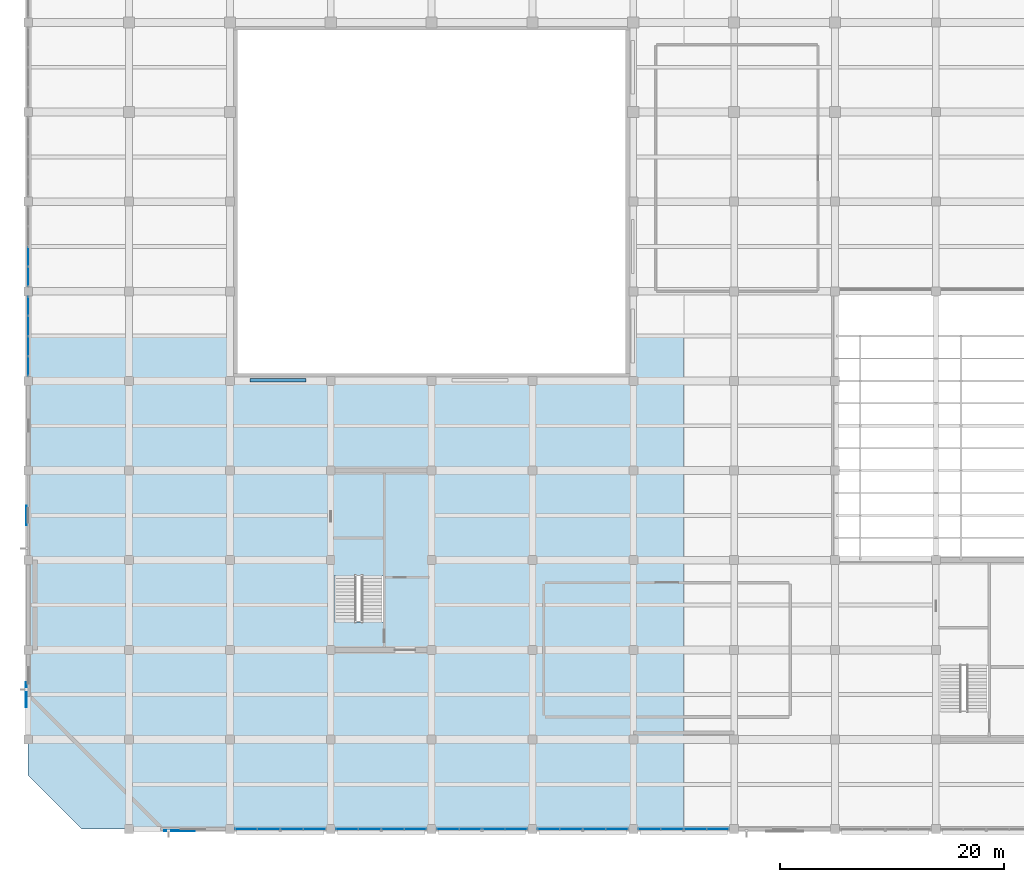
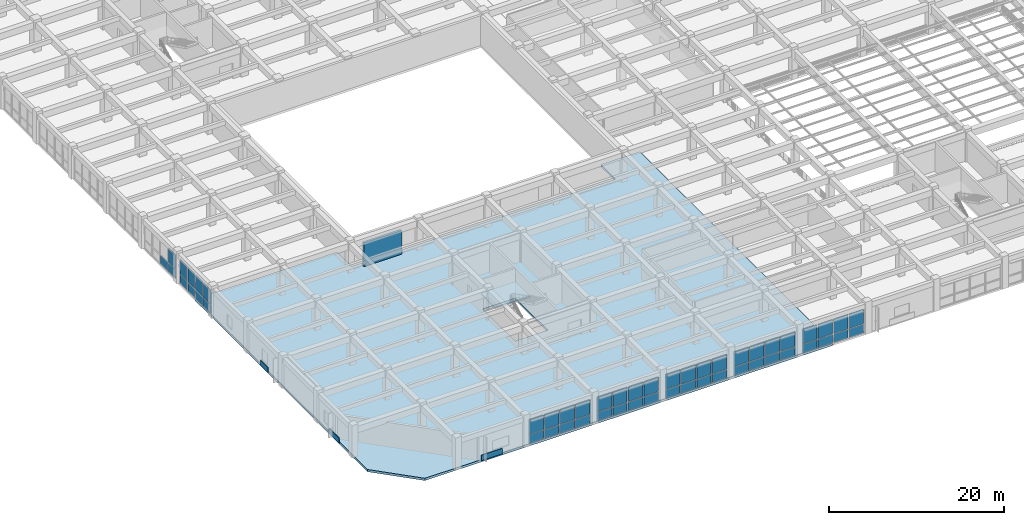
# One storey, part 20 of 50: 55 plates, 2 slabs, 8 elements without a shape of their own.
"""IFC4 building model written with IfcOpenShell, lengths in metres."""

from ifc_helpers import new_model, si_unit, direction, frame, frame_2d, origin, place, context, subcontext, project, spatial, polyline, rectangle, outline, extrude, material, layer, layer_set, type_object, element, aggregate, save


model = new_model("IFC4")

# Units and contexts
model_context = context("Model", 3, precision=1e-05, world=origin(), true_north=direction((0.0, 1.0)))
body_context = subcontext(model_context, "Body", "Model", "MODEL_VIEW")
ifc_project = project(units=[si_unit("LENGTHUNIT", "METRE"), si_unit("AREAUNIT", "SQUARE_METRE"), si_unit("VOLUMEUNIT", "CUBIC_METRE"), si_unit("PLANEANGLEUNIT", "RADIAN"), si_unit("MASSUNIT", "GRAM", prefix="KILO")], contexts=[model_context])

# Site, building, storey
site_placement = place(None, origin())
site = spatial("IfcSite", under=ifc_project, at=site_placement, CompositionType="ELEMENT")
building_placement = place(site_placement, origin())
building = spatial("IfcBuilding", under=site, at=building_placement, Name="Zaverband Oceanarium and Marine Research Institute", CompositionType="ELEMENT")
storey_placement = place(building_placement, frame((0.0, 0.0, 9.0)))
storey = spatial("IfcBuildingStorey", under=building, at=storey_placement, Name="L02", CompositionType="ELEMENT", Elevation=9.0)

# Plate
ifc_material_1 = material(Name="Monolithic cast polymethyl methacrylate (PMMA) viewing acrylic")
ifc_layer_1 = layer(ifc_material_1, 0.300048828125, Name="Monolithic cast polymethyl methacrylate (PMMA) viewing acrylic")
ifc_layer_set_1 = layer_set([ifc_layer_1], Name="Monolithic cast polymethyl methacrylate (PMMA) viewing acrylic")
plate_type_1 = type_object("IfcPlateType", Name="AP-5000x3300x300", PredefinedType="SHEET", material=ifc_layer_set_1)
plate_1_placement = place(storey_placement, frame((19.800048828125, 40.050048828125, 0.0), z_axis=(0.0, 0.0, 1.0), x_axis=(1.0, 0.0, 0.0)))
element("IfcPlate", 1, at=plate_1_placement, inside=storey, type_object=plate_type_1, Name="Monolithic cast-acrylic viewport / tunnel panel AP-5000x3300x300", PredefinedType="SHEET", context=body_context, shape_type="SweptSolid", body=[
    extrude(rectangle(XDim=5.0, YDim=0.300048828125, at=frame_2d((2.5, 0.0))), origin(), (0.0, 0.0, 1.0), 3.300048828125),
])

# Curtain wall, plates
ifc_material_2 = material(Name="Thermally broken anodized aluminium and solar-control glass", Category="aluminium")
curtain_wall_type = type_object("IfcCurtainWallType", Name="CW-UNIT-1800", PredefinedType="NOTDEFINED", material=ifc_material_2)
curtain_wall_1_placement = place(storey_placement, origin())
curtain_wall_1 = element("IfcCurtainWall", 2, at=curtain_wall_1_placement, inside=storey, type_object=curtain_wall_type, Name="Unitised glazed curtain wall CW-052", PredefinedType="NOTDEFINED")
ifc_material_3 = material(Name="Low-E double-glazed solar-control glass", Category="glass")
ifc_layer_2 = layer(ifc_material_3, 0.033935546875, Name="Low-E double-glazed solar-control glass")
ifc_layer_set_2 = layer_set([ifc_layer_2], Name="Low-E double-glazed solar-control glass")
plate_type_2 = type_object("IfcPlateType", Name="CWP-1515x1197", PredefinedType="CURTAIN_PANEL", material=ifc_layer_set_2)
plate_2_placement = place(storey_placement, frame((0.0, 40.485107421875, 0.050048828125), z_axis=(0.0, 0.0, 1.0), x_axis=(0.0, 1.0, 0.0)))
plate_2 = element("IfcPlate", 3, at=plate_2_placement, type_object=plate_type_2, Name="Glazed curtain wall panel CWP-1515x1197", PredefinedType="CURTAIN_PANEL", context=body_context, shape_type="SweptSolid", body=[
    extrude(rectangle(XDim=1.637451171875, YDim=0.033935546875, at=frame_2d((0.81884765625, 0.0))), origin(), (0.0, 0.0, 1.0), 1.197021484375),
])
plate_3_placement = place(storey_placement, frame((0.0, 42.282470703125, 0.050048828125), z_axis=(0.0, 0.0, 1.0), x_axis=(0.0, 1.0, 0.0)))
plate_3 = element("IfcPlate", 4, at=plate_3_placement, type_object=plate_type_2, Name="Glazed curtain wall panel CWP-1515x1197", PredefinedType="CURTAIN_PANEL", context=body_context, shape_type="SweptSolid", body=[
    extrude(rectangle(XDim=1.637451171875, YDim=0.033935546875, at=frame_2d((0.81884765625, 0.0))), origin(), (0.0, 0.0, 1.0), 1.197021484375),
])
plate_4_placement = place(storey_placement, frame((0.0, 44.080078125, 0.050048828125), z_axis=(0.0, 0.0, 1.0), x_axis=(0.0, 1.0, 0.0)))
plate_4 = element("IfcPlate", 5, at=plate_4_placement, type_object=plate_type_2, Name="Glazed curtain wall panel CWP-1515x1197", PredefinedType="CURTAIN_PANEL", context=body_context, shape_type="SweptSolid", body=[
    extrude(rectangle(XDim=1.637451171875, YDim=0.033935546875, at=frame_2d((0.81884765625, 0.0))), origin(), (0.0, 0.0, 1.0), 1.197021484375),
])
plate_5_placement = place(storey_placement, frame((0.0, 45.87744140625, 0.050048828125), z_axis=(0.0, 0.0, 1.0), x_axis=(0.0, 1.0, 0.0)))
plate_5 = element("IfcPlate", 6, at=plate_5_placement, type_object=plate_type_2, Name="Glazed curtain wall panel CWP-1515x1197", PredefinedType="CURTAIN_PANEL", context=body_context, shape_type="SweptSolid", body=[
    extrude(rectangle(XDim=1.637451171875, YDim=0.033935546875, at=frame_2d((0.81884765625, 0.0))), origin(), (0.0, 0.0, 1.0), 1.197021484375),
])

curtain_wall_2_placement = place(storey_placement, origin())
curtain_wall_2 = element("IfcCurtainWall", 7, at=curtain_wall_2_placement, inside=storey, type_object=curtain_wall_type, Name="Unitised glazed curtain wall CW-053", PredefinedType="NOTDEFINED")
plate_6_placement = place(storey_placement, frame((0.0, 48.485107421875, 0.050048828125), z_axis=(0.0, 0.0, 1.0), x_axis=(0.0, 1.0, 0.0)))
plate_6 = element("IfcPlate", 8, at=plate_6_placement, type_object=plate_type_2, Name="Glazed curtain wall panel CWP-1515x1197", PredefinedType="CURTAIN_PANEL", context=body_context, shape_type="SweptSolid", body=[
    extrude(rectangle(XDim=1.637451171875, YDim=0.033935546875, at=frame_2d((0.81884765625, 0.0))), origin(), (0.0, 0.0, 1.0), 1.197021484375),
])
plate_7_placement = place(storey_placement, frame((0.0, 50.282470703125, 0.050048828125), z_axis=(0.0, 0.0, 1.0), x_axis=(0.0, 1.0, 0.0)))
plate_7 = element("IfcPlate", 9, at=plate_7_placement, type_object=plate_type_2, Name="Glazed curtain wall panel CWP-1515x1197", PredefinedType="CURTAIN_PANEL", context=body_context, shape_type="SweptSolid", body=[
    extrude(rectangle(XDim=1.637451171875, YDim=0.033935546875, at=frame_2d((0.81884765625, 0.0))), origin(), (0.0, 0.0, 1.0), 1.197021484375),
])

# Plate
ifc_layer_3 = layer(ifc_material_3, 0.035888671875, Name="Low-E double-glazed solar-control glass")
ifc_layer_set_3 = layer_set([ifc_layer_3], Name="Low-E double-glazed solar-control glass")
plate_type_3 = type_object("IfcPlateType", Name="CWP-1515x2063", PredefinedType="CURTAIN_PANEL", material=ifc_layer_set_3)
plate_8_placement = place(storey_placement, frame((0.0, 40.485107421875, 1.31689453125), z_axis=(0.0, 0.0, 1.0), x_axis=(0.0, 1.0, 0.0)))
plate_8 = element("IfcPlate", 10, at=plate_8_placement, type_object=plate_type_3, Name="Glazed curtain wall panel CWP-1515x2063", PredefinedType="CURTAIN_PANEL", context=body_context, shape_type="SweptSolid", body=[
    extrude(rectangle(XDim=1.637451171875, YDim=0.035888671875, at=frame_2d((0.81884765625, 0.0))), origin(), (0.0, 0.0, 1.0), 2.06298828125),
])

plate_9_placement = place(storey_placement, frame((0.0, 42.282470703125, 1.31689453125), z_axis=(0.0, 0.0, 1.0), x_axis=(0.0, 1.0, 0.0)))
plate_9 = element("IfcPlate", 11, at=plate_9_placement, type_object=plate_type_3, Name="Glazed curtain wall panel CWP-1515x2063", PredefinedType="CURTAIN_PANEL", context=body_context, shape_type="SweptSolid", body=[
    extrude(rectangle(XDim=1.637451171875, YDim=0.035888671875, at=frame_2d((0.81884765625, 0.0))), origin(), (0.0, 0.0, 1.0), 2.06298828125),
])

plate_10_placement = place(storey_placement, frame((0.0, 44.080078125, 1.31689453125), z_axis=(0.0, 0.0, 1.0), x_axis=(0.0, 1.0, 0.0)))
plate_10 = element("IfcPlate", 12, at=plate_10_placement, type_object=plate_type_3, Name="Glazed curtain wall panel CWP-1515x2063", PredefinedType="CURTAIN_PANEL", context=body_context, shape_type="SweptSolid", body=[
    extrude(rectangle(XDim=1.637451171875, YDim=0.035888671875, at=frame_2d((0.81884765625, 0.0))), origin(), (0.0, 0.0, 1.0), 2.06298828125),
])

plate_11_placement = place(storey_placement, frame((0.0, 45.87744140625, 1.31689453125), z_axis=(0.0, 0.0, 1.0), x_axis=(0.0, 1.0, 0.0)))
plate_11 = element("IfcPlate", 13, at=plate_11_placement, type_object=plate_type_3, Name="Glazed curtain wall panel CWP-1515x2063", PredefinedType="CURTAIN_PANEL", context=body_context, shape_type="SweptSolid", body=[
    extrude(rectangle(XDim=1.637451171875, YDim=0.035888671875, at=frame_2d((0.81884765625, 0.0))), origin(), (0.0, 0.0, 1.0), 2.06298828125),
])

aggregate(curtain_wall_1, [plate_2, plate_8, plate_3, plate_9, plate_4, plate_10, plate_5, plate_11])

plate_12_placement = place(storey_placement, frame((0.0, 48.485107421875, 1.31689453125), z_axis=(0.0, 0.0, 1.0), x_axis=(0.0, 1.0, 0.0)))
plate_12 = element("IfcPlate", 14, at=plate_12_placement, type_object=plate_type_3, Name="Glazed curtain wall panel CWP-1515x2063", PredefinedType="CURTAIN_PANEL", context=body_context, shape_type="SweptSolid", body=[
    extrude(rectangle(XDim=1.637451171875, YDim=0.035888671875, at=frame_2d((0.81884765625, 0.0))), origin(), (0.0, 0.0, 1.0), 2.06298828125),
])

aggregate(curtain_wall_2, [plate_6, plate_12, plate_7])

# Curtain wall, plates
curtain_wall_3_placement = place(storey_placement, origin())
curtain_wall_3 = element("IfcCurtainWall", 15, at=curtain_wall_3_placement, inside=storey, type_object=curtain_wall_type, Name="Unitised glazed curtain wall CW-035", PredefinedType="NOTDEFINED")
ifc_layer_4 = layer(ifc_material_3, 0.033935546875, Name="Low-E double-glazed solar-control glass")
ifc_layer_set_4 = layer_set([ifc_layer_4], Name="Low-E double-glazed solar-control glass")
plate_type_4 = type_object("IfcPlateType", Name="CWP-1765x1197", PredefinedType="CURTAIN_PANEL", material=ifc_layer_set_4)
plate_13_placement = place(storey_placement, frame((18.485107421875, 0.0, 0.050048828125), z_axis=(0.0, 0.0, 1.0), x_axis=(1.0, 0.0, 0.0)))
plate_13 = element("IfcPlate", 16, at=plate_13_placement, type_object=plate_type_4, Name="Glazed curtain wall panel CWP-1765x1197", PredefinedType="CURTAIN_PANEL", context=body_context, shape_type="SweptSolid", body=[
    extrude(rectangle(XDim=1.887451171875, YDim=0.033935546875, at=frame_2d((0.94384765625, 0.0))), origin(), (0.0, 0.0, 1.0), 1.197021484375),
])
plate_14_placement = place(storey_placement, frame((20.532470703125, 0.0, 0.050048828125), z_axis=(0.0, 0.0, 1.0), x_axis=(1.0, 0.0, 0.0)))
plate_14 = element("IfcPlate", 17, at=plate_14_placement, type_object=plate_type_4, Name="Glazed curtain wall panel CWP-1765x1197", PredefinedType="CURTAIN_PANEL", context=body_context, shape_type="SweptSolid", body=[
    extrude(rectangle(XDim=1.887451171875, YDim=0.033935546875, at=frame_2d((0.94384765625, 0.0))), origin(), (0.0, 0.0, 1.0), 1.197021484375),
])
plate_15_placement = place(storey_placement, frame((22.580078125, 0.0, 0.050048828125), z_axis=(0.0, 0.0, 1.0), x_axis=(1.0, 0.0, 0.0)))
plate_15 = element("IfcPlate", 18, at=plate_15_placement, type_object=plate_type_4, Name="Glazed curtain wall panel CWP-1765x1197", PredefinedType="CURTAIN_PANEL", context=body_context, shape_type="SweptSolid", body=[
    extrude(rectangle(XDim=1.887451171875, YDim=0.033935546875, at=frame_2d((0.94384765625, 0.0))), origin(), (0.0, 0.0, 1.0), 1.197021484375),
])
plate_16_placement = place(storey_placement, frame((24.62744140625, 0.0, 0.050048828125), z_axis=(0.0, 0.0, 1.0), x_axis=(1.0, 0.0, 0.0)))
plate_16 = element("IfcPlate", 19, at=plate_16_placement, type_object=plate_type_4, Name="Glazed curtain wall panel CWP-1765x1197", PredefinedType="CURTAIN_PANEL", context=body_context, shape_type="SweptSolid", body=[
    extrude(rectangle(XDim=1.887451171875, YDim=0.033935546875, at=frame_2d((0.94384765625, 0.0))), origin(), (0.0, 0.0, 1.0), 1.197021484375),
])

curtain_wall_4_placement = place(storey_placement, origin())
curtain_wall_4 = element("IfcCurtainWall", 20, at=curtain_wall_4_placement, inside=storey, type_object=curtain_wall_type, Name="Unitised glazed curtain wall CW-036", PredefinedType="NOTDEFINED")
plate_17_placement = place(storey_placement, frame((27.485107421875, 0.0, 0.050048828125), z_axis=(0.0, 0.0, 1.0), x_axis=(1.0, 0.0, 0.0)))
plate_17 = element("IfcPlate", 21, at=plate_17_placement, type_object=plate_type_4, Name="Glazed curtain wall panel CWP-1765x1197", PredefinedType="CURTAIN_PANEL", context=body_context, shape_type="SweptSolid", body=[
    extrude(rectangle(XDim=1.887451171875, YDim=0.033935546875, at=frame_2d((0.94384765625, 0.0))), origin(), (0.0, 0.0, 1.0), 1.197021484375),
])
plate_18_placement = place(storey_placement, frame((29.532470703125, 0.0, 0.050048828125), z_axis=(0.0, 0.0, 1.0), x_axis=(1.0, 0.0, 0.0)))
plate_18 = element("IfcPlate", 22, at=plate_18_placement, type_object=plate_type_4, Name="Glazed curtain wall panel CWP-1765x1197", PredefinedType="CURTAIN_PANEL", context=body_context, shape_type="SweptSolid", body=[
    extrude(rectangle(XDim=1.887451171875, YDim=0.033935546875, at=frame_2d((0.94384765625, 0.0))), origin(), (0.0, 0.0, 1.0), 1.197021484375),
])
plate_19_placement = place(storey_placement, frame((31.580078125, 0.0, 0.050048828125), z_axis=(0.0, 0.0, 1.0), x_axis=(1.0, 0.0, 0.0)))
plate_19 = element("IfcPlate", 23, at=plate_19_placement, type_object=plate_type_4, Name="Glazed curtain wall panel CWP-1765x1197", PredefinedType="CURTAIN_PANEL", context=body_context, shape_type="SweptSolid", body=[
    extrude(rectangle(XDim=1.887451171875, YDim=0.033935546875, at=frame_2d((0.94384765625, 0.0))), origin(), (0.0, 0.0, 1.0), 1.197021484375),
])
plate_20_placement = place(storey_placement, frame((33.62744140625, 0.0, 0.050048828125), z_axis=(0.0, 0.0, 1.0), x_axis=(1.0, 0.0, 0.0)))
plate_20 = element("IfcPlate", 24, at=plate_20_placement, type_object=plate_type_4, Name="Glazed curtain wall panel CWP-1765x1197", PredefinedType="CURTAIN_PANEL", context=body_context, shape_type="SweptSolid", body=[
    extrude(rectangle(XDim=1.887451171875, YDim=0.033935546875, at=frame_2d((0.94384765625, 0.0))), origin(), (0.0, 0.0, 1.0), 1.197021484375),
])

curtain_wall_5_placement = place(storey_placement, origin())
curtain_wall_5 = element("IfcCurtainWall", 25, at=curtain_wall_5_placement, inside=storey, type_object=curtain_wall_type, Name="Unitised glazed curtain wall CW-037", PredefinedType="NOTDEFINED")
plate_21_placement = place(storey_placement, frame((36.485107421875, 0.0, 0.050048828125), z_axis=(0.0, 0.0, 1.0), x_axis=(1.0, 0.0, 0.0)))
plate_21 = element("IfcPlate", 26, at=plate_21_placement, type_object=plate_type_4, Name="Glazed curtain wall panel CWP-1765x1197", PredefinedType="CURTAIN_PANEL", context=body_context, shape_type="SweptSolid", body=[
    extrude(rectangle(XDim=1.887451171875, YDim=0.033935546875, at=frame_2d((0.94384765625, 0.0))), origin(), (0.0, 0.0, 1.0), 1.197021484375),
])
plate_22_placement = place(storey_placement, frame((38.532470703125, 0.0, 0.050048828125), z_axis=(0.0, 0.0, 1.0), x_axis=(1.0, 0.0, 0.0)))
plate_22 = element("IfcPlate", 27, at=plate_22_placement, type_object=plate_type_4, Name="Glazed curtain wall panel CWP-1765x1197", PredefinedType="CURTAIN_PANEL", context=body_context, shape_type="SweptSolid", body=[
    extrude(rectangle(XDim=1.887451171875, YDim=0.033935546875, at=frame_2d((0.94384765625, 0.0))), origin(), (0.0, 0.0, 1.0), 1.197021484375),
])
plate_23_placement = place(storey_placement, frame((40.580078125, 0.0, 0.050048828125), z_axis=(0.0, 0.0, 1.0), x_axis=(1.0, 0.0, 0.0)))
plate_23 = element("IfcPlate", 28, at=plate_23_placement, type_object=plate_type_4, Name="Glazed curtain wall panel CWP-1765x1197", PredefinedType="CURTAIN_PANEL", context=body_context, shape_type="SweptSolid", body=[
    extrude(rectangle(XDim=1.887451171875, YDim=0.033935546875, at=frame_2d((0.94384765625, 0.0))), origin(), (0.0, 0.0, 1.0), 1.197021484375),
])
plate_24_placement = place(storey_placement, frame((42.62744140625, 0.0, 0.050048828125), z_axis=(0.0, 0.0, 1.0), x_axis=(1.0, 0.0, 0.0)))
plate_24 = element("IfcPlate", 29, at=plate_24_placement, type_object=plate_type_4, Name="Glazed curtain wall panel CWP-1765x1197", PredefinedType="CURTAIN_PANEL", context=body_context, shape_type="SweptSolid", body=[
    extrude(rectangle(XDim=1.887451171875, YDim=0.033935546875, at=frame_2d((0.94384765625, 0.0))), origin(), (0.0, 0.0, 1.0), 1.197021484375),
])

curtain_wall_6_placement = place(storey_placement, origin())
curtain_wall_6 = element("IfcCurtainWall", 30, at=curtain_wall_6_placement, inside=storey, type_object=curtain_wall_type, Name="Unitised glazed curtain wall CW-038", PredefinedType="NOTDEFINED")
plate_25_placement = place(storey_placement, frame((45.485107421875, 0.0, 0.050048828125), z_axis=(0.0, 0.0, 1.0), x_axis=(1.0, 0.0, 0.0)))
plate_25 = element("IfcPlate", 31, at=plate_25_placement, type_object=plate_type_4, Name="Glazed curtain wall panel CWP-1765x1197", PredefinedType="CURTAIN_PANEL", context=body_context, shape_type="SweptSolid", body=[
    extrude(rectangle(XDim=1.887451171875, YDim=0.033935546875, at=frame_2d((0.94384765625, 0.0))), origin(), (0.0, 0.0, 1.0), 1.197021484375),
])
plate_26_placement = place(storey_placement, frame((47.532470703125, 0.0, 0.050048828125), z_axis=(0.0, 0.0, 1.0), x_axis=(1.0, 0.0, 0.0)))
plate_26 = element("IfcPlate", 32, at=plate_26_placement, type_object=plate_type_4, Name="Glazed curtain wall panel CWP-1765x1197", PredefinedType="CURTAIN_PANEL", context=body_context, shape_type="SweptSolid", body=[
    extrude(rectangle(XDim=1.887451171875, YDim=0.033935546875, at=frame_2d((0.94384765625, 0.0))), origin(), (0.0, 0.0, 1.0), 1.197021484375),
])
plate_27_placement = place(storey_placement, frame((49.580078125, 0.0, 0.050048828125), z_axis=(0.0, 0.0, 1.0), x_axis=(1.0, 0.0, 0.0)))
plate_27 = element("IfcPlate", 33, at=plate_27_placement, type_object=plate_type_4, Name="Glazed curtain wall panel CWP-1765x1197", PredefinedType="CURTAIN_PANEL", context=body_context, shape_type="SweptSolid", body=[
    extrude(rectangle(XDim=1.887451171875, YDim=0.033935546875, at=frame_2d((0.94384765625, 0.0))), origin(), (0.0, 0.0, 1.0), 1.197021484375),
])
plate_28_placement = place(storey_placement, frame((51.62744140625, 0.0, 0.050048828125), z_axis=(0.0, 0.0, 1.0), x_axis=(1.0, 0.0, 0.0)))
plate_28 = element("IfcPlate", 34, at=plate_28_placement, type_object=plate_type_4, Name="Glazed curtain wall panel CWP-1765x1197", PredefinedType="CURTAIN_PANEL", context=body_context, shape_type="SweptSolid", body=[
    extrude(rectangle(XDim=1.887451171875, YDim=0.033935546875, at=frame_2d((0.94384765625, 0.0))), origin(), (0.0, 0.0, 1.0), 1.197021484375),
])

curtain_wall_7_placement = place(storey_placement, origin())
curtain_wall_7 = element("IfcCurtainWall", 35, at=curtain_wall_7_placement, inside=storey, type_object=curtain_wall_type, Name="Unitised glazed curtain wall CW-039", PredefinedType="NOTDEFINED")
plate_29_placement = place(storey_placement, frame((54.485107421875, 0.0, 0.050048828125), z_axis=(0.0, 0.0, 1.0), x_axis=(1.0, 0.0, 0.0)))
plate_29 = element("IfcPlate", 36, at=plate_29_placement, type_object=plate_type_4, Name="Glazed curtain wall panel CWP-1765x1197", PredefinedType="CURTAIN_PANEL", context=body_context, shape_type="SweptSolid", body=[
    extrude(rectangle(XDim=1.887451171875, YDim=0.033935546875, at=frame_2d((0.94384765625, 0.0))), origin(), (0.0, 0.0, 1.0), 1.197021484375),
])
plate_30_placement = place(storey_placement, frame((56.532470703125, 0.0, 0.050048828125), z_axis=(0.0, 0.0, 1.0), x_axis=(1.0, 0.0, 0.0)))
plate_30 = element("IfcPlate", 37, at=plate_30_placement, type_object=plate_type_4, Name="Glazed curtain wall panel CWP-1765x1197", PredefinedType="CURTAIN_PANEL", context=body_context, shape_type="SweptSolid", body=[
    extrude(rectangle(XDim=1.887451171875, YDim=0.033935546875, at=frame_2d((0.94384765625, 0.0))), origin(), (0.0, 0.0, 1.0), 1.197021484375),
])
plate_31_placement = place(storey_placement, frame((58.580078125, 0.0, 0.050048828125), z_axis=(0.0, 0.0, 1.0), x_axis=(1.0, 0.0, 0.0)))
plate_31 = element("IfcPlate", 38, at=plate_31_placement, type_object=plate_type_4, Name="Glazed curtain wall panel CWP-1765x1197", PredefinedType="CURTAIN_PANEL", context=body_context, shape_type="SweptSolid", body=[
    extrude(rectangle(XDim=1.887451171875, YDim=0.033935546875, at=frame_2d((0.94384765625, 0.0))), origin(), (0.0, 0.0, 1.0), 1.197021484375),
])
plate_32_placement = place(storey_placement, frame((60.62744140625, 0.0, 0.050048828125), z_axis=(0.0, 0.0, 1.0), x_axis=(1.0, 0.0, 0.0)))
plate_32 = element("IfcPlate", 39, at=plate_32_placement, type_object=plate_type_4, Name="Glazed curtain wall panel CWP-1765x1197", PredefinedType="CURTAIN_PANEL", context=body_context, shape_type="SweptSolid", body=[
    extrude(rectangle(XDim=1.887451171875, YDim=0.033935546875, at=frame_2d((0.94384765625, 0.0))), origin(), (0.0, 0.0, 1.0), 1.197021484375),
])

# Plate
ifc_layer_5 = layer(ifc_material_3, 0.035888671875, Name="Low-E double-glazed solar-control glass")
ifc_layer_set_5 = layer_set([ifc_layer_5], Name="Low-E double-glazed solar-control glass")
plate_type_5 = type_object("IfcPlateType", Name="CWP-1765x2063", PredefinedType="CURTAIN_PANEL", material=ifc_layer_set_5)
plate_33_placement = place(storey_placement, frame((18.485107421875, 0.0, 1.31689453125), z_axis=(0.0, 0.0, 1.0), x_axis=(1.0, 0.0, 0.0)))
plate_33 = element("IfcPlate", 40, at=plate_33_placement, type_object=plate_type_5, Name="Glazed curtain wall panel CWP-1765x2063", PredefinedType="CURTAIN_PANEL", context=body_context, shape_type="SweptSolid", body=[
    extrude(rectangle(XDim=1.887451171875, YDim=0.035888671875, at=frame_2d((0.94384765625, 0.0))), origin(), (0.0, 0.0, 1.0), 2.06298828125),
])

plate_34_placement = place(storey_placement, frame((20.532470703125, 0.0, 1.31689453125), z_axis=(0.0, 0.0, 1.0), x_axis=(1.0, 0.0, 0.0)))
plate_34 = element("IfcPlate", 41, at=plate_34_placement, type_object=plate_type_5, Name="Glazed curtain wall panel CWP-1765x2063", PredefinedType="CURTAIN_PANEL", context=body_context, shape_type="SweptSolid", body=[
    extrude(rectangle(XDim=1.887451171875, YDim=0.035888671875, at=frame_2d((0.94384765625, 0.0))), origin(), (0.0, 0.0, 1.0), 2.06298828125),
])

plate_35_placement = place(storey_placement, frame((22.580078125, 0.0, 1.31689453125), z_axis=(0.0, 0.0, 1.0), x_axis=(1.0, 0.0, 0.0)))
plate_35 = element("IfcPlate", 42, at=plate_35_placement, type_object=plate_type_5, Name="Glazed curtain wall panel CWP-1765x2063", PredefinedType="CURTAIN_PANEL", context=body_context, shape_type="SweptSolid", body=[
    extrude(rectangle(XDim=1.887451171875, YDim=0.035888671875, at=frame_2d((0.94384765625, 0.0))), origin(), (0.0, 0.0, 1.0), 2.06298828125),
])

plate_36_placement = place(storey_placement, frame((24.62744140625, 0.0, 1.31689453125), z_axis=(0.0, 0.0, 1.0), x_axis=(1.0, 0.0, 0.0)))
plate_36 = element("IfcPlate", 43, at=plate_36_placement, type_object=plate_type_5, Name="Glazed curtain wall panel CWP-1765x2063", PredefinedType="CURTAIN_PANEL", context=body_context, shape_type="SweptSolid", body=[
    extrude(rectangle(XDim=1.887451171875, YDim=0.035888671875, at=frame_2d((0.94384765625, 0.0))), origin(), (0.0, 0.0, 1.0), 2.06298828125),
])

aggregate(curtain_wall_3, [plate_13, plate_33, plate_14, plate_34, plate_15, plate_35, plate_16, plate_36])

plate_37_placement = place(storey_placement, frame((27.485107421875, 0.0, 1.31689453125), z_axis=(0.0, 0.0, 1.0), x_axis=(1.0, 0.0, 0.0)))
plate_37 = element("IfcPlate", 44, at=plate_37_placement, type_object=plate_type_5, Name="Glazed curtain wall panel CWP-1765x2063", PredefinedType="CURTAIN_PANEL", context=body_context, shape_type="SweptSolid", body=[
    extrude(rectangle(XDim=1.887451171875, YDim=0.035888671875, at=frame_2d((0.94384765625, 0.0))), origin(), (0.0, 0.0, 1.0), 2.06298828125),
])

plate_38_placement = place(storey_placement, frame((29.532470703125, 0.0, 1.31689453125), z_axis=(0.0, 0.0, 1.0), x_axis=(1.0, 0.0, 0.0)))
plate_38 = element("IfcPlate", 45, at=plate_38_placement, type_object=plate_type_5, Name="Glazed curtain wall panel CWP-1765x2063", PredefinedType="CURTAIN_PANEL", context=body_context, shape_type="SweptSolid", body=[
    extrude(rectangle(XDim=1.887451171875, YDim=0.035888671875, at=frame_2d((0.94384765625, 0.0))), origin(), (0.0, 0.0, 1.0), 2.06298828125),
])

plate_39_placement = place(storey_placement, frame((31.580078125, 0.0, 1.31689453125), z_axis=(0.0, 0.0, 1.0), x_axis=(1.0, 0.0, 0.0)))
plate_39 = element("IfcPlate", 46, at=plate_39_placement, type_object=plate_type_5, Name="Glazed curtain wall panel CWP-1765x2063", PredefinedType="CURTAIN_PANEL", context=body_context, shape_type="SweptSolid", body=[
    extrude(rectangle(XDim=1.887451171875, YDim=0.035888671875, at=frame_2d((0.94384765625, 0.0))), origin(), (0.0, 0.0, 1.0), 2.06298828125),
])

plate_40_placement = place(storey_placement, frame((33.62744140625, 0.0, 1.31689453125), z_axis=(0.0, 0.0, 1.0), x_axis=(1.0, 0.0, 0.0)))
plate_40 = element("IfcPlate", 47, at=plate_40_placement, type_object=plate_type_5, Name="Glazed curtain wall panel CWP-1765x2063", PredefinedType="CURTAIN_PANEL", context=body_context, shape_type="SweptSolid", body=[
    extrude(rectangle(XDim=1.887451171875, YDim=0.035888671875, at=frame_2d((0.94384765625, 0.0))), origin(), (0.0, 0.0, 1.0), 2.06298828125),
])

aggregate(curtain_wall_4, [plate_17, plate_37, plate_18, plate_38, plate_19, plate_39, plate_20, plate_40])

plate_41_placement = place(storey_placement, frame((36.485107421875, 0.0, 1.31689453125), z_axis=(0.0, 0.0, 1.0), x_axis=(1.0, 0.0, 0.0)))
plate_41 = element("IfcPlate", 48, at=plate_41_placement, type_object=plate_type_5, Name="Glazed curtain wall panel CWP-1765x2063", PredefinedType="CURTAIN_PANEL", context=body_context, shape_type="SweptSolid", body=[
    extrude(rectangle(XDim=1.887451171875, YDim=0.035888671875, at=frame_2d((0.94384765625, 0.0))), origin(), (0.0, 0.0, 1.0), 2.06298828125),
])

plate_42_placement = place(storey_placement, frame((38.532470703125, 0.0, 1.31689453125), z_axis=(0.0, 0.0, 1.0), x_axis=(1.0, 0.0, 0.0)))
plate_42 = element("IfcPlate", 49, at=plate_42_placement, type_object=plate_type_5, Name="Glazed curtain wall panel CWP-1765x2063", PredefinedType="CURTAIN_PANEL", context=body_context, shape_type="SweptSolid", body=[
    extrude(rectangle(XDim=1.887451171875, YDim=0.035888671875, at=frame_2d((0.94384765625, 0.0))), origin(), (0.0, 0.0, 1.0), 2.06298828125),
])

plate_43_placement = place(storey_placement, frame((40.580078125, 0.0, 1.31689453125), z_axis=(0.0, 0.0, 1.0), x_axis=(1.0, 0.0, 0.0)))
plate_43 = element("IfcPlate", 50, at=plate_43_placement, type_object=plate_type_5, Name="Glazed curtain wall panel CWP-1765x2063", PredefinedType="CURTAIN_PANEL", context=body_context, shape_type="SweptSolid", body=[
    extrude(rectangle(XDim=1.887451171875, YDim=0.035888671875, at=frame_2d((0.94384765625, 0.0))), origin(), (0.0, 0.0, 1.0), 2.06298828125),
])

plate_44_placement = place(storey_placement, frame((42.62744140625, 0.0, 1.31689453125), z_axis=(0.0, 0.0, 1.0), x_axis=(1.0, 0.0, 0.0)))
plate_44 = element("IfcPlate", 51, at=plate_44_placement, type_object=plate_type_5, Name="Glazed curtain wall panel CWP-1765x2063", PredefinedType="CURTAIN_PANEL", context=body_context, shape_type="SweptSolid", body=[
    extrude(rectangle(XDim=1.887451171875, YDim=0.035888671875, at=frame_2d((0.94384765625, 0.0))), origin(), (0.0, 0.0, 1.0), 2.06298828125),
])

aggregate(curtain_wall_5, [plate_21, plate_41, plate_22, plate_42, plate_23, plate_43, plate_24, plate_44])

plate_45_placement = place(storey_placement, frame((45.485107421875, 0.0, 1.31689453125), z_axis=(0.0, 0.0, 1.0), x_axis=(1.0, 0.0, 0.0)))
plate_45 = element("IfcPlate", 52, at=plate_45_placement, type_object=plate_type_5, Name="Glazed curtain wall panel CWP-1765x2063", PredefinedType="CURTAIN_PANEL", context=body_context, shape_type="SweptSolid", body=[
    extrude(rectangle(XDim=1.887451171875, YDim=0.035888671875, at=frame_2d((0.94384765625, 0.0))), origin(), (0.0, 0.0, 1.0), 2.06298828125),
])

plate_46_placement = place(storey_placement, frame((47.532470703125, 0.0, 1.31689453125), z_axis=(0.0, 0.0, 1.0), x_axis=(1.0, 0.0, 0.0)))
plate_46 = element("IfcPlate", 53, at=plate_46_placement, type_object=plate_type_5, Name="Glazed curtain wall panel CWP-1765x2063", PredefinedType="CURTAIN_PANEL", context=body_context, shape_type="SweptSolid", body=[
    extrude(rectangle(XDim=1.887451171875, YDim=0.035888671875, at=frame_2d((0.94384765625, 0.0))), origin(), (0.0, 0.0, 1.0), 2.06298828125),
])

plate_47_placement = place(storey_placement, frame((49.580078125, 0.0, 1.31689453125), z_axis=(0.0, 0.0, 1.0), x_axis=(1.0, 0.0, 0.0)))
plate_47 = element("IfcPlate", 54, at=plate_47_placement, type_object=plate_type_5, Name="Glazed curtain wall panel CWP-1765x2063", PredefinedType="CURTAIN_PANEL", context=body_context, shape_type="SweptSolid", body=[
    extrude(rectangle(XDim=1.887451171875, YDim=0.035888671875, at=frame_2d((0.94384765625, 0.0))), origin(), (0.0, 0.0, 1.0), 2.06298828125),
])

plate_48_placement = place(storey_placement, frame((51.62744140625, 0.0, 1.31689453125), z_axis=(0.0, 0.0, 1.0), x_axis=(1.0, 0.0, 0.0)))
plate_48 = element("IfcPlate", 55, at=plate_48_placement, type_object=plate_type_5, Name="Glazed curtain wall panel CWP-1765x2063", PredefinedType="CURTAIN_PANEL", context=body_context, shape_type="SweptSolid", body=[
    extrude(rectangle(XDim=1.887451171875, YDim=0.035888671875, at=frame_2d((0.94384765625, 0.0))), origin(), (0.0, 0.0, 1.0), 2.06298828125),
])

aggregate(curtain_wall_6, [plate_25, plate_45, plate_26, plate_46, plate_27, plate_47, plate_28, plate_48])

plate_49_placement = place(storey_placement, frame((54.485107421875, 0.0, 1.31689453125), z_axis=(0.0, 0.0, 1.0), x_axis=(1.0, 0.0, 0.0)))
plate_49 = element("IfcPlate", 56, at=plate_49_placement, type_object=plate_type_5, Name="Glazed curtain wall panel CWP-1765x2063", PredefinedType="CURTAIN_PANEL", context=body_context, shape_type="SweptSolid", body=[
    extrude(rectangle(XDim=1.887451171875, YDim=0.035888671875, at=frame_2d((0.94384765625, 0.0))), origin(), (0.0, 0.0, 1.0), 2.06298828125),
])

plate_50_placement = place(storey_placement, frame((56.532470703125, 0.0, 1.31689453125), z_axis=(0.0, 0.0, 1.0), x_axis=(1.0, 0.0, 0.0)))
plate_50 = element("IfcPlate", 57, at=plate_50_placement, type_object=plate_type_5, Name="Glazed curtain wall panel CWP-1765x2063", PredefinedType="CURTAIN_PANEL", context=body_context, shape_type="SweptSolid", body=[
    extrude(rectangle(XDim=1.887451171875, YDim=0.035888671875, at=frame_2d((0.94384765625, 0.0))), origin(), (0.0, 0.0, 1.0), 2.06298828125),
])

plate_51_placement = place(storey_placement, frame((58.580078125, 0.0, 1.31689453125), z_axis=(0.0, 0.0, 1.0), x_axis=(1.0, 0.0, 0.0)))
plate_51 = element("IfcPlate", 58, at=plate_51_placement, type_object=plate_type_5, Name="Glazed curtain wall panel CWP-1765x2063", PredefinedType="CURTAIN_PANEL", context=body_context, shape_type="SweptSolid", body=[
    extrude(rectangle(XDim=1.887451171875, YDim=0.035888671875, at=frame_2d((0.94384765625, 0.0))), origin(), (0.0, 0.0, 1.0), 2.06298828125),
])

plate_52_placement = place(storey_placement, frame((60.62744140625, 0.0, 1.31689453125), z_axis=(0.0, 0.0, 1.0), x_axis=(1.0, 0.0, 0.0)))
plate_52 = element("IfcPlate", 59, at=plate_52_placement, type_object=plate_type_5, Name="Glazed curtain wall panel CWP-1765x2063", PredefinedType="CURTAIN_PANEL", context=body_context, shape_type="SweptSolid", body=[
    extrude(rectangle(XDim=1.887451171875, YDim=0.035888671875, at=frame_2d((0.94384765625, 0.0))), origin(), (0.0, 0.0, 1.0), 2.06298828125),
])

aggregate(curtain_wall_7, [plate_29, plate_49, plate_30, plate_50, plate_31, plate_51, plate_32, plate_52])

# Plates
ifc_material_4 = material(Name="Concrete C40/50 precast ochre", Category="concrete")
ifc_layer_6 = layer(ifc_material_4, 0.070068359375, Name="Concrete C40/50 precast ochre")
ifc_layer_set_6 = layer_set([ifc_layer_6], Name="Concrete C40/50 precast ochre")
plate_type_6 = type_object("IfcPlateType", Name="FRP-1750x700", PredefinedType="USERDEFINED", material=ifc_layer_set_6)
plate_53_placement = place(storey_placement, frame((-0.152587890625, 27.125, 0.0), z_axis=(0.0, 0.0, 1.0), x_axis=(0.0, 1.0, 0.0)))
element("IfcPlate", 60, at=plate_53_placement, inside=storey, type_object=plate_type_6, Name="Geometric precast facade cladding panel FRP-1750x700", ObjectType="FLANGE_PLATE", PredefinedType="USERDEFINED", context=body_context, shape_type="SweptSolid", body=[
    extrude(rectangle(XDim=1.75, YDim=0.070068359375, at=frame_2d((0.875, 0.0))), origin(), (0.0, 0.0, 1.0), 0.699951171875),
])
ifc_layer_7 = layer(ifc_material_4, 0.074951171875, Name="Concrete C40/50 precast ochre")
ifc_layer_set_7 = layer_set([ifc_layer_7], Name="Concrete C40/50 precast ochre")
plate_type_7 = type_object("IfcPlateType", Name="FRP-2250x740", PredefinedType="USERDEFINED", material=ifc_layer_set_7)
plate_54_placement = place(storey_placement, frame((-0.177490234375, 10.875, 0.0), z_axis=(0.0, 0.0, 1.0), x_axis=(0.0, 1.0, 0.0)))
element("IfcPlate", 61, at=plate_54_placement, inside=storey, type_object=plate_type_7, Name="Geometric precast facade cladding panel FRP-2250x740", ObjectType="FLANGE_PLATE", PredefinedType="USERDEFINED", context=body_context, shape_type="SweptSolid", body=[
    extrude(rectangle(XDim=2.25, YDim=0.074951171875, at=frame_2d((1.125, 0.0))), origin(), (0.0, 0.0, 1.0), 0.739990234375),
])
ifc_layer_8 = layer(ifc_material_4, 0.080078125, Name="Concrete C40/50 precast ochre")
ifc_layer_set_8 = layer_set([ifc_layer_8], Name="Concrete C40/50 precast ochre")
plate_type_8 = type_object("IfcPlateType", Name="FRP-2750x760", PredefinedType="USERDEFINED", material=ifc_layer_set_8)
plate_55_placement = place(storey_placement, frame((12.125, -0.157470703125, 0.0), z_axis=(0.0, 0.0, 1.0), x_axis=(1.0, 0.0, 0.0)))
element("IfcPlate", 62, at=plate_55_placement, inside=storey, type_object=plate_type_8, Name="Geometric precast facade cladding panel FRP-2750x760", ObjectType="FLANGE_PLATE", PredefinedType="USERDEFINED", context=body_context, shape_type="SweptSolid", body=[
    extrude(rectangle(XDim=2.75, YDim=0.080078125, at=frame_2d((1.375, 0.0))), origin(), (0.0, 0.0, 1.0), 0.760009765625),
])

# Slab
ifc_material_5 = material(Name="Concrete C40/50", Category="concrete")
ifc_layer_9 = layer(ifc_material_5, 0.320068359375, Name="Concrete C40/50")
ifc_layer_set_9 = layer_set([ifc_layer_9], Name="Concrete C40/50")
slab_type_1 = type_object("IfcSlabType", Name="SLB-GAL-320", PredefinedType="FLOOR", material=ifc_layer_set_9)
slab_1_placement = place(storey_placement, frame((0.0, 0.0, -0.320068359375)))
element("IfcSlab", 63, at=slab_1_placement, inside=storey, type_object=slab_type_1, Name="Suspended floor slab SLB-GAL-320", PredefinedType="FLOOR", context=body_context, shape_type="SweptSolid", body=[
    extrude(outline(polyline([(58.485107421875, 43.985107421875), (58.485107421875, 0.0), (4.800048828125, 0.0), (0.0, 4.800048828125), (0.0, 43.985107421875), (18.64990234375, 43.985107421875), (18.64990234375, 40.64990234375), (53.35009765625, 40.64990234375), (53.35009765625, 43.985107421875), (58.485107421875, 43.985107421875)]), holes=[polyline([(31.64990234375, 25.85009765625), (27.35009765625, 25.85009765625), (27.35009765625, 18.5), (31.64990234375, 18.5), (31.64990234375, 25.85009765625)])]), origin(), (0.0, 0.0, 1.0), 0.320068359375),
])

# Stair, slab
stair_type = type_object("IfcStairType", Name="STR-POD-1800-4500", PredefinedType="HALF_TURN_STAIR", material=ifc_material_5)
stair_placement = place(storey_placement, origin())
stair = element("IfcStair", 64, at=stair_placement, inside=storey, type_object=stair_type, Name="Exit Stair ST-03 (L02)", PredefinedType="HALF_TURN_STAIR")
ifc_layer_10 = layer(ifc_material_5, 0.219970703125, Name="Concrete C40/50")
ifc_layer_set_10 = layer_set([ifc_layer_10], Name="Concrete C40/50")
slab_type_2 = type_object("IfcSlabType", Name="SLB-LND-220", PredefinedType="LANDING", material=ifc_layer_set_10)
slab_2_placement = place(storey_placement, frame((0.0, 0.0, 2.030029296875)))
slab_2 = element("IfcSlab", 65, at=slab_2_placement, type_object=slab_type_2, Name="Stair / ramp landing slab SLB-LND-220", PredefinedType="LANDING", context=body_context, shape_type="SweptSolid", body=[
    extrude(outline(polyline([(27.139892578125, 22.570068359375), (31.735107421875, 22.570068359375), (31.735107421875, 25.93505859375), (27.139892578125, 25.93505859375), (27.139892578125, 22.570068359375)])), origin(), (0.0, 0.0, 1.0), 0.219970703125),
])
aggregate(stair, [slab_2])

save(model, "model.ifc")
